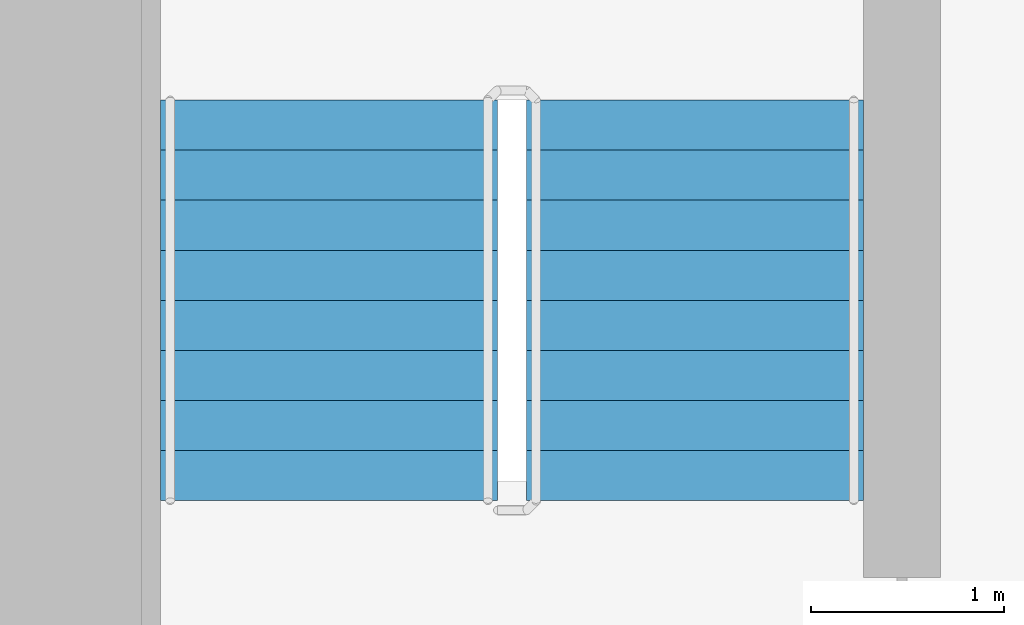
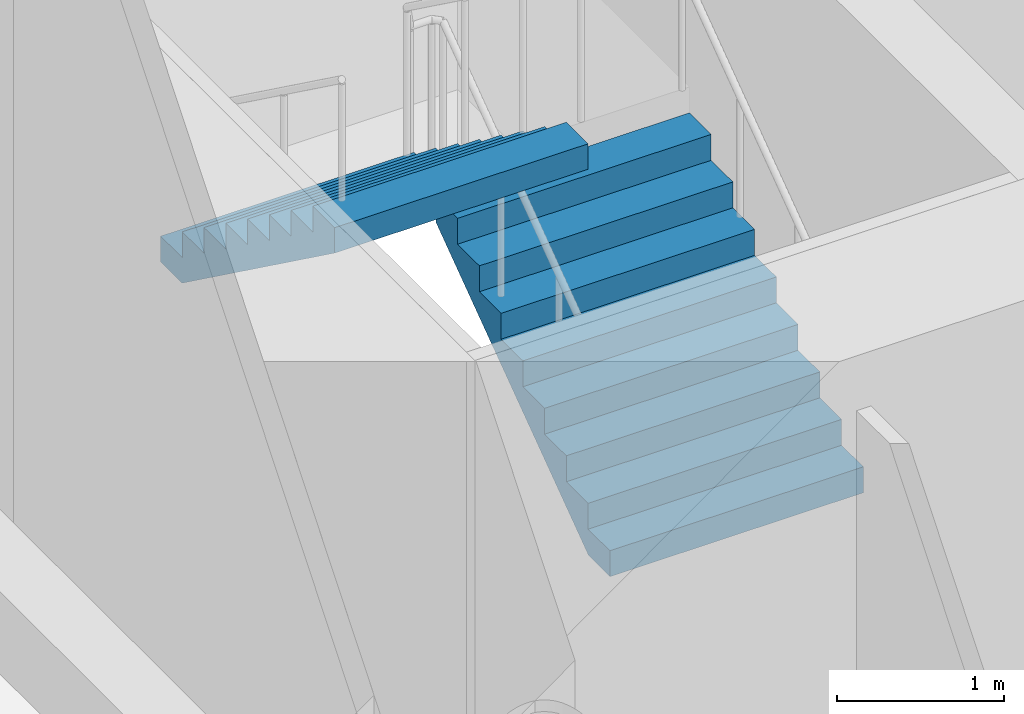
# One storey, part 20 of 23: 2 stair flights, 1 element without a shape of its own.
"""IFC4 building model written with IfcOpenShell, lengths in metres."""

from ifc_helpers import new_model, si_unit, direction, frame, origin, place, context, subcontext, project, spatial, faceted_brep, material, type_object, element, aggregate, save


model = new_model("IFC4")

# Units and contexts
model_context = context("Model", 3, precision=1e-05, world=origin(), true_north=direction((0.0, 1.0)))
body_context = subcontext(model_context, "Body", "Model", "MODEL_VIEW")
ifc_project = project(units=[si_unit("LENGTHUNIT", "METRE"), si_unit("AREAUNIT", "SQUARE_METRE"), si_unit("VOLUMEUNIT", "CUBIC_METRE"), si_unit("PLANEANGLEUNIT", "RADIAN"), si_unit("MASSUNIT", "GRAM", prefix="KILO")], contexts=[model_context])

# Site, building, storey
site_placement = place(None, origin())
site = spatial("IfcSite", under=ifc_project, at=site_placement, CompositionType="ELEMENT")
building_placement = place(site_placement, origin())
building = spatial("IfcBuilding", under=site, at=building_placement, Name="Ipe Terrace Towers", CompositionType="ELEMENT")
storey_placement = place(building_placement, frame((0.0, 0.0, 44.89990234375)))
storey = spatial("IfcBuildingStorey", under=building, at=storey_placement, Name="L11", CompositionType="ELEMENT", Elevation=44.89990234375)

# Stair, stair flights
ifc_material_1 = material(Name="Concrete C30/37", Category="concrete")
stair_type = type_object("IfcStairType", Name="Protected exit stair", PredefinedType="HALF_TURN_STAIR", material=ifc_material_1)
stair_placement = place(storey_placement, origin())
stair = element("IfcStair", 1, at=stair_placement, inside=storey, type_object=stair_type, Name="L11 Exit stair T2-C1", PredefinedType="HALF_TURN_STAIR")
ifc_material_2 = material(Name="Concrete C30/37", Category="concrete")
stair_flight_type = type_object("IfcStairFlightType", Name="Exit stair flight 1750", PredefinedType="STRAIGHT", material=ifc_material_2)
stair_flight_1_placement = place(storey_placement, frame((33.22509765625, 9.699951171875, 0.0), z_axis=(0.0, 0.0, 1.0), x_axis=(0.0, 1.0, 0.0)))
stair_flight_1 = element("IfcStairFlight", 2, at=stair_flight_1_placement, type_object=stair_flight_type, Name="T2-ST1 flight 1", NumberOfRisers=9, NumberOfTreads=8, PredefinedType="STRAIGHT", RiserHeight=0.188888889, TreadLength=0.26, context=body_context, shape_type="Brep", body=[
    faceted_brep([(0.255126953125, -0.875, 0.0), (2.080078125, -0.875, 1.325927734375), (2.080078125, -0.875, 1.51123046875), (1.820068359375, -0.875, 1.51123046875), (1.820068359375, -0.875, 1.322265625), (1.56005859375, -0.875, 1.322265625), (1.56005859375, -0.875, 1.13330078125), (1.300048828125, -0.875, 1.13330078125), (1.300048828125, -0.875, 0.9443359375), (1.0400390625, -0.875, 0.9443359375), (1.0400390625, -0.875, 0.755615234375), (0.780029296875, -0.875, 0.755615234375), (0.780029296875, -0.875, 0.566650390625), (0.52001953125, -0.875, 0.566650390625), (0.52001953125, -0.875, 0.377685546875), (0.260009765625, -0.875, 0.377685546875), (0.260009765625, -0.875, 0.18896484375), (0.0, -0.875, 0.18896484375), (0.0, -0.875, 0.0), (0.0, 0.875, 0.0), (0.0, 0.875, 0.18896484375), (0.260009765625, 0.875, 0.18896484375), (0.260009765625, 0.875, 0.377685546875), (0.52001953125, 0.875, 0.377685546875), (0.52001953125, 0.875, 0.566650390625), (0.780029296875, 0.875, 0.566650390625), (0.780029296875, 0.875, 0.755615234375), (1.0400390625, 0.875, 0.755615234375), (1.0400390625, 0.875, 0.9443359375), (1.300048828125, 0.875, 0.9443359375), (1.300048828125, 0.875, 1.13330078125), (1.56005859375, 0.875, 1.13330078125), (1.56005859375, 0.875, 1.322265625), (1.820068359375, 0.875, 1.322265625), (1.820068359375, 0.875, 1.51123046875), (2.080078125, 0.875, 1.51123046875), (2.080078125, 0.875, 1.325927734375), (0.255126953125, 0.875, 0.0), (0.0, -0.300048828125, 0.18896484375), (0.0, -0.1201171875, 0.18896484375), (0.0, -0.06005859375, 0.18896484375), (0.0, -0.030029296875, 0.18896484375), (0.0, -0.010009765625, 0.18896484375), (0.0, 0.0, 0.18896484375), (0.0, 0.010009765625, 0.18896484375), (0.0, 0.030029296875, 0.18896484375), (0.0, 0.06005859375, 0.18896484375), (0.0, 0.1201171875, 0.18896484375), (0.0, 0.300048828125, 0.18896484375), (0.0, 0.300048828125, 0.0), (0.0, 0.1201171875, 0.0), (0.0, 0.06005859375, 0.0), (0.0, 0.030029296875, 0.0), (0.0, 0.010009765625, 0.0), (0.0, 0.0, 0.0), (0.0, -0.010009765625, 0.0), (0.0, -0.030029296875, 0.0), (0.0, -0.06005859375, 0.0), (0.0, -0.1201171875, 0.0), (0.0, -0.300048828125, 0.0), (0.260009765625, -0.300048828125, 0.18896484375), (0.260009765625, -0.1201171875, 0.18896484375), (0.260009765625, -0.06005859375, 0.18896484375), (0.260009765625, -0.030029296875, 0.18896484375), (0.260009765625, -0.010009765625, 0.18896484375), (0.260009765625, 0.0, 0.18896484375), (0.260009765625, 0.010009765625, 0.18896484375), (0.260009765625, 0.030029296875, 0.18896484375), (0.260009765625, 0.06005859375, 0.18896484375), (0.260009765625, 0.1201171875, 0.18896484375), (0.260009765625, 0.300048828125, 0.18896484375), (0.260009765625, -0.300048828125, 0.377685546875), (0.260009765625, -0.1201171875, 0.377685546875), (0.260009765625, -0.06005859375, 0.377685546875), (0.260009765625, -0.030029296875, 0.377685546875), (0.260009765625, -0.010009765625, 0.377685546875), (0.260009765625, 0.0, 0.377685546875), (0.260009765625, 0.010009765625, 0.377685546875), (0.260009765625, 0.030029296875, 0.377685546875), (0.260009765625, 0.06005859375, 0.377685546875), (0.260009765625, 0.1201171875, 0.377685546875), (0.260009765625, 0.300048828125, 0.377685546875), (0.52001953125, -0.300048828125, 0.377685546875), (0.52001953125, -0.1201171875, 0.377685546875), (0.52001953125, -0.06005859375, 0.377685546875), (0.52001953125, -0.030029296875, 0.377685546875), (0.52001953125, -0.010009765625, 0.377685546875), (0.52001953125, 0.0, 0.377685546875), (0.52001953125, 0.010009765625, 0.377685546875), (0.52001953125, 0.030029296875, 0.377685546875), (0.52001953125, 0.06005859375, 0.377685546875), (0.52001953125, 0.1201171875, 0.377685546875), (0.52001953125, 0.300048828125, 0.377685546875), (0.52001953125, -0.300048828125, 0.566650390625), (0.52001953125, -0.1201171875, 0.566650390625), (0.52001953125, -0.06005859375, 0.566650390625), (0.52001953125, -0.030029296875, 0.566650390625), (0.52001953125, -0.010009765625, 0.566650390625), (0.52001953125, 0.0, 0.566650390625), (0.52001953125, 0.010009765625, 0.566650390625), (0.52001953125, 0.030029296875, 0.566650390625), (0.52001953125, 0.06005859375, 0.566650390625), (0.52001953125, 0.1201171875, 0.566650390625), (0.52001953125, 0.300048828125, 0.566650390625), (0.780029296875, -0.300048828125, 0.566650390625), (0.780029296875, -0.1201171875, 0.566650390625), (0.780029296875, -0.06005859375, 0.566650390625), (0.780029296875, -0.030029296875, 0.566650390625), (0.780029296875, -0.010009765625, 0.566650390625), (0.780029296875, 0.0, 0.566650390625), (0.780029296875, 0.010009765625, 0.566650390625), (0.780029296875, 0.030029296875, 0.566650390625), (0.780029296875, 0.06005859375, 0.566650390625), (0.780029296875, 0.1201171875, 0.566650390625), (0.780029296875, 0.300048828125, 0.566650390625), (0.780029296875, -0.300048828125, 0.755615234375), (0.780029296875, -0.1201171875, 0.755615234375), (0.780029296875, -0.06005859375, 0.755615234375), (0.780029296875, -0.030029296875, 0.755615234375), (0.780029296875, -0.010009765625, 0.755615234375), (0.780029296875, 0.0, 0.755615234375), (0.780029296875, 0.010009765625, 0.755615234375), (0.780029296875, 0.030029296875, 0.755615234375), (0.780029296875, 0.06005859375, 0.755615234375), (0.780029296875, 0.1201171875, 0.755615234375), (0.780029296875, 0.300048828125, 0.755615234375), (1.0400390625, -0.300048828125, 0.755615234375), (1.0400390625, -0.1201171875, 0.755615234375), (1.0400390625, -0.06005859375, 0.755615234375), (1.0400390625, -0.030029296875, 0.755615234375), (1.0400390625, -0.010009765625, 0.755615234375), (1.0400390625, 0.0, 0.755615234375), (1.0400390625, 0.010009765625, 0.755615234375), (1.0400390625, 0.030029296875, 0.755615234375), (1.0400390625, 0.06005859375, 0.755615234375), (1.0400390625, 0.1201171875, 0.755615234375), (1.0400390625, 0.300048828125, 0.755615234375), (1.0400390625, -0.300048828125, 0.9443359375), (1.0400390625, -0.1201171875, 0.9443359375), (1.0400390625, -0.06005859375, 0.9443359375), (1.0400390625, -0.030029296875, 0.9443359375), (1.0400390625, -0.010009765625, 0.9443359375), (1.0400390625, 0.0, 0.9443359375), (1.0400390625, 0.010009765625, 0.9443359375), (1.0400390625, 0.030029296875, 0.9443359375), (1.0400390625, 0.06005859375, 0.9443359375), (1.0400390625, 0.1201171875, 0.9443359375), (1.0400390625, 0.300048828125, 0.9443359375), (1.300048828125, -0.300048828125, 0.9443359375), (1.300048828125, -0.1201171875, 0.9443359375), (1.300048828125, -0.06005859375, 0.9443359375), (1.300048828125, -0.030029296875, 0.9443359375), (1.300048828125, -0.010009765625, 0.9443359375), (1.300048828125, 0.0, 0.9443359375), (1.300048828125, 0.010009765625, 0.9443359375), (1.300048828125, 0.030029296875, 0.9443359375), (1.300048828125, 0.06005859375, 0.9443359375), (1.300048828125, 0.1201171875, 0.9443359375), (1.300048828125, 0.300048828125, 0.9443359375), (1.300048828125, -0.300048828125, 1.13330078125), (1.300048828125, -0.1201171875, 1.13330078125), (1.300048828125, -0.06005859375, 1.13330078125), (1.300048828125, -0.030029296875, 1.13330078125), (1.300048828125, -0.010009765625, 1.13330078125), (1.300048828125, 0.0, 1.13330078125), (1.300048828125, 0.010009765625, 1.13330078125), (1.300048828125, 0.030029296875, 1.13330078125), (1.300048828125, 0.06005859375, 1.13330078125), (1.300048828125, 0.1201171875, 1.13330078125), (1.300048828125, 0.300048828125, 1.13330078125), (1.56005859375, -0.300048828125, 1.13330078125), (1.56005859375, -0.1201171875, 1.13330078125), (1.56005859375, -0.06005859375, 1.13330078125), (1.56005859375, -0.030029296875, 1.13330078125), (1.56005859375, -0.010009765625, 1.13330078125), (1.56005859375, 0.0, 1.13330078125), (1.56005859375, 0.010009765625, 1.13330078125), (1.56005859375, 0.030029296875, 1.13330078125), (1.56005859375, 0.06005859375, 1.13330078125), (1.56005859375, 0.1201171875, 1.13330078125), (1.56005859375, 0.300048828125, 1.13330078125), (1.56005859375, -0.300048828125, 1.322265625), (1.56005859375, -0.1201171875, 1.322265625), (1.56005859375, -0.06005859375, 1.322265625), (1.56005859375, -0.030029296875, 1.322265625), (1.56005859375, -0.010009765625, 1.322265625), (1.56005859375, 0.0, 1.322265625), (1.56005859375, 0.010009765625, 1.322265625), (1.56005859375, 0.030029296875, 1.322265625), (1.56005859375, 0.06005859375, 1.322265625), (1.56005859375, 0.1201171875, 1.322265625), (1.56005859375, 0.300048828125, 1.322265625), (1.820068359375, -0.300048828125, 1.322265625), (1.820068359375, -0.1201171875, 1.322265625), (1.820068359375, -0.06005859375, 1.322265625), (1.820068359375, -0.030029296875, 1.322265625), (1.820068359375, -0.010009765625, 1.322265625), (1.820068359375, 0.0, 1.322265625), (1.820068359375, 0.010009765625, 1.322265625), (1.820068359375, 0.030029296875, 1.322265625), (1.820068359375, 0.06005859375, 1.322265625), (1.820068359375, 0.1201171875, 1.322265625), (1.820068359375, 0.300048828125, 1.322265625), (1.820068359375, -0.300048828125, 1.51123046875), (1.820068359375, -0.1201171875, 1.51123046875), (1.820068359375, -0.06005859375, 1.51123046875), (1.820068359375, -0.030029296875, 1.51123046875), (1.820068359375, -0.010009765625, 1.51123046875), (1.820068359375, 0.0, 1.51123046875), (1.820068359375, 0.010009765625, 1.51123046875), (1.820068359375, 0.030029296875, 1.51123046875), (1.820068359375, 0.06005859375, 1.51123046875), (1.820068359375, 0.1201171875, 1.51123046875), (1.820068359375, 0.300048828125, 1.51123046875), (2.080078125, -0.300048828125, 1.51123046875), (2.080078125, -0.1201171875, 1.51123046875), (2.080078125, -0.06005859375, 1.51123046875), (2.080078125, -0.030029296875, 1.51123046875), (2.080078125, -0.010009765625, 1.51123046875), (2.080078125, 0.0, 1.51123046875), (2.080078125, 0.010009765625, 1.51123046875), (2.080078125, 0.030029296875, 1.51123046875), (2.080078125, 0.06005859375, 1.51123046875), (2.080078125, 0.1201171875, 1.51123046875), (2.080078125, 0.300048828125, 1.51123046875), (2.080078125, -0.300048828125, 1.325927734375), (2.080078125, -0.1201171875, 1.325927734375), (2.080078125, -0.06005859375, 1.325927734375), (2.080078125, -0.030029296875, 1.325927734375), (2.080078125, -0.010009765625, 1.325927734375), (2.080078125, 0.0, 1.325927734375), (2.080078125, 0.010009765625, 1.325927734375), (2.080078125, 0.030029296875, 1.325927734375), (2.080078125, 0.06005859375, 1.325927734375), (2.080078125, 0.1201171875, 1.325927734375), (2.080078125, 0.300048828125, 1.325927734375), (0.255126953125, -0.300048828125, 0.0), (0.255126953125, -0.1201171875, 0.0), (0.255126953125, -0.06005859375, 0.0), (0.255126953125, -0.030029296875, 0.0), (0.255126953125, -0.010009765625, 0.0), (0.255126953125, 0.0, 0.0), (0.255126953125, 0.010009765625, 0.0), (0.255126953125, 0.030029296875, 0.0), (0.255126953125, 0.06005859375, 0.0), (0.255126953125, 0.1201171875, 0.0), (0.255126953125, 0.300048828125, 0.0)], [[[0, 1, 2, 3, 4, 5, 6, 7, 8, 9, 10, 11, 12, 13, 14, 15, 16, 17, 18]], [[19, 20, 21, 22, 23, 24, 25, 26, 27, 28, 29, 30, 31, 32, 33, 34, 35, 36, 37]], [[17, 38, 39, 40, 41, 42, 43, 44, 45, 46, 47, 48, 20, 19, 49, 50, 51, 52, 53, 54, 55, 56, 57, 58, 59, 18]], [[16, 60, 61, 62, 63, 64, 65, 66, 67, 68, 69, 70, 21, 20, 48, 47, 46, 45, 44, 43, 42, 41, 40, 39, 38, 17]], [[15, 71, 72, 73, 74, 75, 76, 77, 78, 79, 80, 81, 22, 21, 70, 69, 68, 67, 66, 65, 64, 63, 62, 61, 60, 16]], [[14, 82, 83, 84, 85, 86, 87, 88, 89, 90, 91, 92, 23, 22, 81, 80, 79, 78, 77, 76, 75, 74, 73, 72, 71, 15]], [[13, 93, 94, 95, 96, 97, 98, 99, 100, 101, 102, 103, 24, 23, 92, 91, 90, 89, 88, 87, 86, 85, 84, 83, 82, 14]], [[12, 104, 105, 106, 107, 108, 109, 110, 111, 112, 113, 114, 25, 24, 103, 102, 101, 100, 99, 98, 97, 96, 95, 94, 93, 13]], [[11, 115, 116, 117, 118, 119, 120, 121, 122, 123, 124, 125, 26, 25, 114, 113, 112, 111, 110, 109, 108, 107, 106, 105, 104, 12]], [[10, 126, 127, 128, 129, 130, 131, 132, 133, 134, 135, 136, 27, 26, 125, 124, 123, 122, 121, 120, 119, 118, 117, 116, 115, 11]], [[9, 137, 138, 139, 140, 141, 142, 143, 144, 145, 146, 147, 28, 27, 136, 135, 134, 133, 132, 131, 130, 129, 128, 127, 126, 10]], [[8, 148, 149, 150, 151, 152, 153, 154, 155, 156, 157, 158, 29, 28, 147, 146, 145, 144, 143, 142, 141, 140, 139, 138, 137, 9]], [[7, 159, 160, 161, 162, 163, 164, 165, 166, 167, 168, 169, 30, 29, 158, 157, 156, 155, 154, 153, 152, 151, 150, 149, 148, 8]], [[6, 170, 171, 172, 173, 174, 175, 176, 177, 178, 179, 180, 31, 30, 169, 168, 167, 166, 165, 164, 163, 162, 161, 160, 159, 7]], [[5, 181, 182, 183, 184, 185, 186, 187, 188, 189, 190, 191, 32, 31, 180, 179, 178, 177, 176, 175, 174, 173, 172, 171, 170, 6]], [[4, 192, 193, 194, 195, 196, 197, 198, 199, 200, 201, 202, 33, 32, 191, 190, 189, 188, 187, 186, 185, 184, 183, 182, 181, 5]], [[3, 203, 204, 205, 206, 207, 208, 209, 210, 211, 212, 213, 34, 33, 202, 201, 200, 199, 198, 197, 196, 195, 194, 193, 192, 4]], [[2, 214, 215, 216, 217, 218, 219, 220, 221, 222, 223, 224, 35, 34, 213, 212, 211, 210, 209, 208, 207, 206, 205, 204, 203, 3]], [[1, 225, 226, 227, 228, 229, 230, 231, 232, 233, 234, 235, 36, 35, 224, 223, 222, 221, 220, 219, 218, 217, 216, 215, 214, 2]], [[0, 236, 237, 238, 239, 240, 241, 242, 243, 244, 245, 246, 37, 36, 235, 234, 233, 232, 231, 230, 229, 228, 227, 226, 225, 1]], [[18, 59, 58, 57, 56, 55, 54, 53, 52, 51, 50, 49, 19, 37, 246, 245, 244, 243, 242, 241, 240, 239, 238, 237, 236, 0]]]),
])
stair_flight_2_placement = place(storey_placement, frame((31.324951171875, 11.780029296875, 1.7001953125), z_axis=(0.0, 0.0, 1.0), x_axis=(0.0, -1.0, 0.0)))
stair_flight_2 = element("IfcStairFlight", 3, at=stair_flight_2_placement, type_object=stair_flight_type, Name="T2-ST1 flight 2", NumberOfRisers=9, NumberOfTreads=8, PredefinedType="STRAIGHT", RiserHeight=0.188888889, TreadLength=0.26, context=body_context, shape_type="Brep", body=[
    faceted_brep([(0.255126953125, -0.875, 0.0), (2.080078125, -0.875, 1.325927734375), (2.080078125, -0.875, 1.51123046875), (1.820068359375, -0.875, 1.51123046875), (1.820068359375, -0.875, 1.322265625), (1.56005859375, -0.875, 1.322265625), (1.56005859375, -0.875, 1.13330078125), (1.300048828125, -0.875, 1.13330078125), (1.300048828125, -0.875, 0.9443359375), (1.0400390625, -0.875, 0.9443359375), (1.0400390625, -0.875, 0.755615234375), (0.780029296875, -0.875, 0.755615234375), (0.780029296875, -0.875, 0.566650390625), (0.52001953125, -0.875, 0.566650390625), (0.52001953125, -0.875, 0.377685546875), (0.260009765625, -0.875, 0.377685546875), (0.260009765625, -0.875, 0.18896484375), (0.0, -0.875, 0.18896484375), (0.0, -0.875, 0.0), (0.0, 0.875, 0.0), (0.0, 0.875, 0.18896484375), (0.260009765625, 0.875, 0.18896484375), (0.260009765625, 0.875, 0.377685546875), (0.52001953125, 0.875, 0.377685546875), (0.52001953125, 0.875, 0.566650390625), (0.780029296875, 0.875, 0.566650390625), (0.780029296875, 0.875, 0.755615234375), (1.0400390625, 0.875, 0.755615234375), (1.0400390625, 0.875, 0.9443359375), (1.300048828125, 0.875, 0.9443359375), (1.300048828125, 0.875, 1.13330078125), (1.56005859375, 0.875, 1.13330078125), (1.56005859375, 0.875, 1.322265625), (1.820068359375, 0.875, 1.322265625), (1.820068359375, 0.875, 1.51123046875), (2.080078125, 0.875, 1.51123046875), (2.080078125, 0.875, 1.325927734375), (0.255126953125, 0.875, 0.0), (0.0, -0.300048828125, 0.18896484375), (0.0, -0.1201171875, 0.18896484375), (0.0, -0.06005859375, 0.18896484375), (0.0, -0.030029296875, 0.18896484375), (0.0, -0.010009765625, 0.18896484375), (0.0, 0.0, 0.18896484375), (0.0, 0.010009765625, 0.18896484375), (0.0, 0.030029296875, 0.18896484375), (0.0, 0.06005859375, 0.18896484375), (0.0, 0.1201171875, 0.18896484375), (0.0, 0.300048828125, 0.18896484375), (0.0, 0.300048828125, 0.0), (0.0, 0.1201171875, 0.0), (0.0, 0.06005859375, 0.0), (0.0, 0.030029296875, 0.0), (0.0, 0.010009765625, 0.0), (0.0, 0.0, 0.0), (0.0, -0.010009765625, 0.0), (0.0, -0.030029296875, 0.0), (0.0, -0.06005859375, 0.0), (0.0, -0.1201171875, 0.0), (0.0, -0.300048828125, 0.0), (0.260009765625, -0.300048828125, 0.18896484375), (0.260009765625, -0.1201171875, 0.18896484375), (0.260009765625, -0.06005859375, 0.18896484375), (0.260009765625, -0.030029296875, 0.18896484375), (0.260009765625, -0.010009765625, 0.18896484375), (0.260009765625, 0.0, 0.18896484375), (0.260009765625, 0.010009765625, 0.18896484375), (0.260009765625, 0.030029296875, 0.18896484375), (0.260009765625, 0.06005859375, 0.18896484375), (0.260009765625, 0.1201171875, 0.18896484375), (0.260009765625, 0.300048828125, 0.18896484375), (0.260009765625, -0.300048828125, 0.377685546875), (0.260009765625, -0.1201171875, 0.377685546875), (0.260009765625, -0.06005859375, 0.377685546875), (0.260009765625, -0.030029296875, 0.377685546875), (0.260009765625, -0.010009765625, 0.377685546875), (0.260009765625, 0.0, 0.377685546875), (0.260009765625, 0.010009765625, 0.377685546875), (0.260009765625, 0.030029296875, 0.377685546875), (0.260009765625, 0.06005859375, 0.377685546875), (0.260009765625, 0.1201171875, 0.377685546875), (0.260009765625, 0.300048828125, 0.377685546875), (0.52001953125, -0.300048828125, 0.377685546875), (0.52001953125, -0.1201171875, 0.377685546875), (0.52001953125, -0.06005859375, 0.377685546875), (0.52001953125, -0.030029296875, 0.377685546875), (0.52001953125, -0.010009765625, 0.377685546875), (0.52001953125, 0.0, 0.377685546875), (0.52001953125, 0.010009765625, 0.377685546875), (0.52001953125, 0.030029296875, 0.377685546875), (0.52001953125, 0.06005859375, 0.377685546875), (0.52001953125, 0.1201171875, 0.377685546875), (0.52001953125, 0.300048828125, 0.377685546875), (0.52001953125, -0.300048828125, 0.566650390625), (0.52001953125, -0.1201171875, 0.566650390625), (0.52001953125, -0.06005859375, 0.566650390625), (0.52001953125, -0.030029296875, 0.566650390625), (0.52001953125, -0.010009765625, 0.566650390625), (0.52001953125, 0.0, 0.566650390625), (0.52001953125, 0.010009765625, 0.566650390625), (0.52001953125, 0.030029296875, 0.566650390625), (0.52001953125, 0.06005859375, 0.566650390625), (0.52001953125, 0.1201171875, 0.566650390625), (0.52001953125, 0.300048828125, 0.566650390625), (0.780029296875, -0.300048828125, 0.566650390625), (0.780029296875, -0.1201171875, 0.566650390625), (0.780029296875, -0.06005859375, 0.566650390625), (0.780029296875, -0.030029296875, 0.566650390625), (0.780029296875, -0.010009765625, 0.566650390625), (0.780029296875, 0.0, 0.566650390625), (0.780029296875, 0.010009765625, 0.566650390625), (0.780029296875, 0.030029296875, 0.566650390625), (0.780029296875, 0.06005859375, 0.566650390625), (0.780029296875, 0.1201171875, 0.566650390625), (0.780029296875, 0.300048828125, 0.566650390625), (0.780029296875, -0.300048828125, 0.755615234375), (0.780029296875, -0.1201171875, 0.755615234375), (0.780029296875, -0.06005859375, 0.755615234375), (0.780029296875, -0.030029296875, 0.755615234375), (0.780029296875, -0.010009765625, 0.755615234375), (0.780029296875, 0.0, 0.755615234375), (0.780029296875, 0.010009765625, 0.755615234375), (0.780029296875, 0.030029296875, 0.755615234375), (0.780029296875, 0.06005859375, 0.755615234375), (0.780029296875, 0.1201171875, 0.755615234375), (0.780029296875, 0.300048828125, 0.755615234375), (1.0400390625, -0.300048828125, 0.755615234375), (1.0400390625, -0.1201171875, 0.755615234375), (1.0400390625, -0.06005859375, 0.755615234375), (1.0400390625, -0.030029296875, 0.755615234375), (1.0400390625, -0.010009765625, 0.755615234375), (1.0400390625, 0.0, 0.755615234375), (1.0400390625, 0.010009765625, 0.755615234375), (1.0400390625, 0.030029296875, 0.755615234375), (1.0400390625, 0.06005859375, 0.755615234375), (1.0400390625, 0.1201171875, 0.755615234375), (1.0400390625, 0.300048828125, 0.755615234375), (1.0400390625, -0.300048828125, 0.9443359375), (1.0400390625, -0.1201171875, 0.9443359375), (1.0400390625, -0.06005859375, 0.9443359375), (1.0400390625, -0.030029296875, 0.9443359375), (1.0400390625, -0.010009765625, 0.9443359375), (1.0400390625, 0.0, 0.9443359375), (1.0400390625, 0.010009765625, 0.9443359375), (1.0400390625, 0.030029296875, 0.9443359375), (1.0400390625, 0.06005859375, 0.9443359375), (1.0400390625, 0.1201171875, 0.9443359375), (1.0400390625, 0.300048828125, 0.9443359375), (1.300048828125, -0.300048828125, 0.9443359375), (1.300048828125, -0.1201171875, 0.9443359375), (1.300048828125, -0.06005859375, 0.9443359375), (1.300048828125, -0.030029296875, 0.9443359375), (1.300048828125, -0.010009765625, 0.9443359375), (1.300048828125, 0.0, 0.9443359375), (1.300048828125, 0.010009765625, 0.9443359375), (1.300048828125, 0.030029296875, 0.9443359375), (1.300048828125, 0.06005859375, 0.9443359375), (1.300048828125, 0.1201171875, 0.9443359375), (1.300048828125, 0.300048828125, 0.9443359375), (1.300048828125, -0.300048828125, 1.13330078125), (1.300048828125, -0.1201171875, 1.13330078125), (1.300048828125, -0.06005859375, 1.13330078125), (1.300048828125, -0.030029296875, 1.13330078125), (1.300048828125, -0.010009765625, 1.13330078125), (1.300048828125, 0.0, 1.13330078125), (1.300048828125, 0.010009765625, 1.13330078125), (1.300048828125, 0.030029296875, 1.13330078125), (1.300048828125, 0.06005859375, 1.13330078125), (1.300048828125, 0.1201171875, 1.13330078125), (1.300048828125, 0.300048828125, 1.13330078125), (1.56005859375, -0.300048828125, 1.13330078125), (1.56005859375, -0.1201171875, 1.13330078125), (1.56005859375, -0.06005859375, 1.13330078125), (1.56005859375, -0.030029296875, 1.13330078125), (1.56005859375, -0.010009765625, 1.13330078125), (1.56005859375, 0.0, 1.13330078125), (1.56005859375, 0.010009765625, 1.13330078125), (1.56005859375, 0.030029296875, 1.13330078125), (1.56005859375, 0.06005859375, 1.13330078125), (1.56005859375, 0.1201171875, 1.13330078125), (1.56005859375, 0.300048828125, 1.13330078125), (1.56005859375, -0.300048828125, 1.322265625), (1.56005859375, -0.1201171875, 1.322265625), (1.56005859375, -0.06005859375, 1.322265625), (1.56005859375, -0.030029296875, 1.322265625), (1.56005859375, -0.010009765625, 1.322265625), (1.56005859375, 0.0, 1.322265625), (1.56005859375, 0.010009765625, 1.322265625), (1.56005859375, 0.030029296875, 1.322265625), (1.56005859375, 0.06005859375, 1.322265625), (1.56005859375, 0.1201171875, 1.322265625), (1.56005859375, 0.300048828125, 1.322265625), (1.820068359375, -0.300048828125, 1.322265625), (1.820068359375, -0.1201171875, 1.322265625), (1.820068359375, -0.06005859375, 1.322265625), (1.820068359375, -0.030029296875, 1.322265625), (1.820068359375, -0.010009765625, 1.322265625), (1.820068359375, 0.0, 1.322265625), (1.820068359375, 0.010009765625, 1.322265625), (1.820068359375, 0.030029296875, 1.322265625), (1.820068359375, 0.06005859375, 1.322265625), (1.820068359375, 0.1201171875, 1.322265625), (1.820068359375, 0.300048828125, 1.322265625), (1.820068359375, -0.300048828125, 1.51123046875), (1.820068359375, -0.1201171875, 1.51123046875), (1.820068359375, -0.06005859375, 1.51123046875), (1.820068359375, -0.030029296875, 1.51123046875), (1.820068359375, -0.010009765625, 1.51123046875), (1.820068359375, 0.0, 1.51123046875), (1.820068359375, 0.010009765625, 1.51123046875), (1.820068359375, 0.030029296875, 1.51123046875), (1.820068359375, 0.06005859375, 1.51123046875), (1.820068359375, 0.1201171875, 1.51123046875), (1.820068359375, 0.300048828125, 1.51123046875), (2.080078125, -0.300048828125, 1.51123046875), (2.080078125, -0.1201171875, 1.51123046875), (2.080078125, -0.06005859375, 1.51123046875), (2.080078125, -0.030029296875, 1.51123046875), (2.080078125, -0.010009765625, 1.51123046875), (2.080078125, 0.0, 1.51123046875), (2.080078125, 0.010009765625, 1.51123046875), (2.080078125, 0.030029296875, 1.51123046875), (2.080078125, 0.06005859375, 1.51123046875), (2.080078125, 0.1201171875, 1.51123046875), (2.080078125, 0.300048828125, 1.51123046875), (2.080078125, -0.300048828125, 1.325927734375), (2.080078125, -0.1201171875, 1.325927734375), (2.080078125, -0.06005859375, 1.325927734375), (2.080078125, -0.030029296875, 1.325927734375), (2.080078125, -0.010009765625, 1.325927734375), (2.080078125, 0.0, 1.325927734375), (2.080078125, 0.010009765625, 1.325927734375), (2.080078125, 0.030029296875, 1.325927734375), (2.080078125, 0.06005859375, 1.325927734375), (2.080078125, 0.1201171875, 1.325927734375), (2.080078125, 0.300048828125, 1.325927734375), (0.255126953125, -0.300048828125, 0.0), (0.255126953125, -0.1201171875, 0.0), (0.255126953125, -0.06005859375, 0.0), (0.255126953125, -0.030029296875, 0.0), (0.255126953125, -0.010009765625, 0.0), (0.255126953125, 0.0, 0.0), (0.255126953125, 0.010009765625, 0.0), (0.255126953125, 0.030029296875, 0.0), (0.255126953125, 0.06005859375, 0.0), (0.255126953125, 0.1201171875, 0.0), (0.255126953125, 0.300048828125, 0.0)], [[[0, 1, 2, 3, 4, 5, 6, 7, 8, 9, 10, 11, 12, 13, 14, 15, 16, 17, 18]], [[19, 20, 21, 22, 23, 24, 25, 26, 27, 28, 29, 30, 31, 32, 33, 34, 35, 36, 37]], [[17, 38, 39, 40, 41, 42, 43, 44, 45, 46, 47, 48, 20, 19, 49, 50, 51, 52, 53, 54, 55, 56, 57, 58, 59, 18]], [[16, 60, 61, 62, 63, 64, 65, 66, 67, 68, 69, 70, 21, 20, 48, 47, 46, 45, 44, 43, 42, 41, 40, 39, 38, 17]], [[15, 71, 72, 73, 74, 75, 76, 77, 78, 79, 80, 81, 22, 21, 70, 69, 68, 67, 66, 65, 64, 63, 62, 61, 60, 16]], [[14, 82, 83, 84, 85, 86, 87, 88, 89, 90, 91, 92, 23, 22, 81, 80, 79, 78, 77, 76, 75, 74, 73, 72, 71, 15]], [[13, 93, 94, 95, 96, 97, 98, 99, 100, 101, 102, 103, 24, 23, 92, 91, 90, 89, 88, 87, 86, 85, 84, 83, 82, 14]], [[12, 104, 105, 106, 107, 108, 109, 110, 111, 112, 113, 114, 25, 24, 103, 102, 101, 100, 99, 98, 97, 96, 95, 94, 93, 13]], [[11, 115, 116, 117, 118, 119, 120, 121, 122, 123, 124, 125, 26, 25, 114, 113, 112, 111, 110, 109, 108, 107, 106, 105, 104, 12]], [[10, 126, 127, 128, 129, 130, 131, 132, 133, 134, 135, 136, 27, 26, 125, 124, 123, 122, 121, 120, 119, 118, 117, 116, 115, 11]], [[9, 137, 138, 139, 140, 141, 142, 143, 144, 145, 146, 147, 28, 27, 136, 135, 134, 133, 132, 131, 130, 129, 128, 127, 126, 10]], [[8, 148, 149, 150, 151, 152, 153, 154, 155, 156, 157, 158, 29, 28, 147, 146, 145, 144, 143, 142, 141, 140, 139, 138, 137, 9]], [[7, 159, 160, 161, 162, 163, 164, 165, 166, 167, 168, 169, 30, 29, 158, 157, 156, 155, 154, 153, 152, 151, 150, 149, 148, 8]], [[6, 170, 171, 172, 173, 174, 175, 176, 177, 178, 179, 180, 31, 30, 169, 168, 167, 166, 165, 164, 163, 162, 161, 160, 159, 7]], [[5, 181, 182, 183, 184, 185, 186, 187, 188, 189, 190, 191, 32, 31, 180, 179, 178, 177, 176, 175, 174, 173, 172, 171, 170, 6]], [[4, 192, 193, 194, 195, 196, 197, 198, 199, 200, 201, 202, 33, 32, 191, 190, 189, 188, 187, 186, 185, 184, 183, 182, 181, 5]], [[3, 203, 204, 205, 206, 207, 208, 209, 210, 211, 212, 213, 34, 33, 202, 201, 200, 199, 198, 197, 196, 195, 194, 193, 192, 4]], [[2, 214, 215, 216, 217, 218, 219, 220, 221, 222, 223, 224, 35, 34, 213, 212, 211, 210, 209, 208, 207, 206, 205, 204, 203, 3]], [[1, 225, 226, 227, 228, 229, 230, 231, 232, 233, 234, 235, 36, 35, 224, 223, 222, 221, 220, 219, 218, 217, 216, 215, 214, 2]], [[0, 236, 237, 238, 239, 240, 241, 242, 243, 244, 245, 246, 37, 36, 235, 234, 233, 232, 231, 230, 229, 228, 227, 226, 225, 1]], [[18, 59, 58, 57, 56, 55, 54, 53, 52, 51, 50, 49, 19, 37, 246, 245, 244, 243, 242, 241, 240, 239, 238, 237, 236, 0]]]),
])
aggregate(stair, [stair_flight_1, stair_flight_2])

save(model, "model.ifc")
